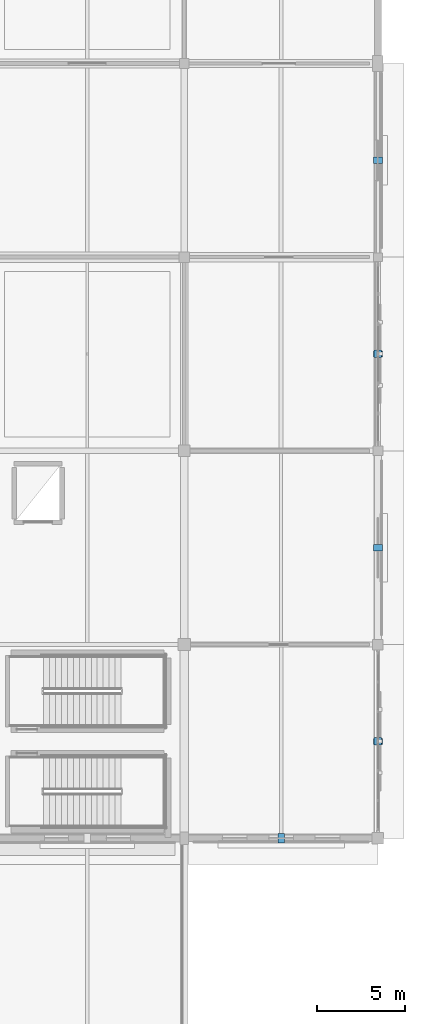
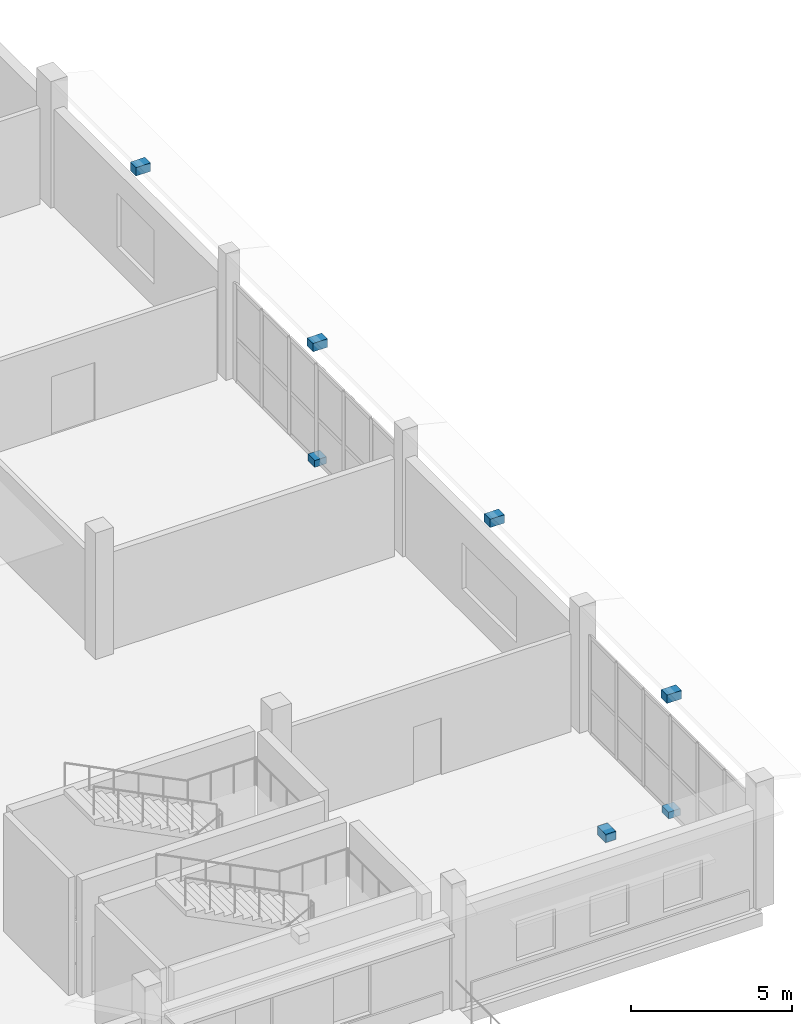
# One storey, part 114 of 143: 7 discrete accessories.
"""IFC4 building model written with IfcOpenShell, lengths in metres."""

import ifcopenshell
import ifcopenshell.guid

model = None  # the IFC model being written
_history = None  # IfcOwnerHistory: only IFC2X3 demands one
_inside = {}  # id of a spatial element -> (the spatial element, [elements in it])
_under = {}  # id of a project, library or spatial element -> (it, [spatial elements below it])
_declared = {}  # id of a project -> (the project, [libraries it declares])
_typed = {}  # id of a type object -> (the type object, [elements of that type])
_made_of = {}  # id of a material, layer set ... -> (it, [elements and type objects made of it])


def new_model(schema):
    """Start an empty IFC model of exactly this schema.

    Asked for "IFC4X3", IfcOpenShell would pick the latest addendum, in which some entities
    have other attributes; the version numbers below select the first issue.
    IFC2X3 requires an IfcOwnerHistory on every rooted entity: one is made here for all.
    """
    global model, _history
    if schema == "IFC4X3":
        model = ifcopenshell.file(schema_version=(4, 3, 0, 0))
    else:
        model = ifcopenshell.file(schema=schema)
    _inside.clear()
    _under.clear()
    _declared.clear()
    _typed.clear()
    _made_of.clear()
    _history = None
    if model.schema == "IFC2X3":
        org = make("IfcOrganization", Name="unknown")
        user = make(
            "IfcPersonAndOrganization",
            ThePerson=make("IfcPerson", FamilyName="unknown"),
            TheOrganization=org,
        )
        app = make(
            "IfcApplication",
            ApplicationDeveloper=org,
            Version="unknown",
            ApplicationFullName="unknown",
            ApplicationIdentifier="unknown",
        )
        _history = make(
            "IfcOwnerHistory",
            OwningUser=user,
            OwningApplication=app,
            ChangeAction="ADDED",
            CreationDate=0,
        )
    return model


def make(cls, **values):
    """One entity of the class cls with the attributes given. An attribute that is None is left unset."""
    return model.create_entity(
        cls, **{name: value for name, value in values.items() if value is not None}
    )


def rooted(cls, **values):
    """An entity with a GlobalId (a new one), such as an element, a storey or a relation."""
    return make(cls, GlobalId=ifcopenshell.guid.new(), OwnerHistory=_history, **values)


def si_unit(unit_type, name, prefix=None):
    """IfcSIUnit, for example si_unit("LENGTHUNIT", "METRE", prefix="MILLI")."""
    return make("IfcSIUnit", UnitType=unit_type, Prefix=prefix, Name=name)


def assignment(units):
    """IfcUnitAssignment: the units of a project."""
    return None if units is None else make("IfcUnitAssignment", Units=units)


def point(xyz):
    """IfcCartesianPoint."""
    return None if xyz is None else make("IfcCartesianPoint", Coordinates=xyz)


def direction(xyz):
    """IfcDirection."""
    return None if xyz is None else make("IfcDirection", DirectionRatios=xyz)


def frame(location, z_axis=None, x_axis=None):
    """IfcAxis2Placement3D, a coordinate frame: its origin and axes. An axis left out is left unset."""
    return make(
        "IfcAxis2Placement3D",
        Location=point(location),
        Axis=direction(z_axis),
        RefDirection=direction(x_axis),
    )


def frame_2d(location, x_axis=None):
    """IfcAxis2Placement2D, a coordinate frame in the plane: its origin and x axis."""
    return make(
        "IfcAxis2Placement2D", Location=point(location), RefDirection=direction(x_axis)
    )


def origin():
    """The frame at (0, 0, 0) with its axes left unset."""
    return frame((0.0, 0.0, 0.0))


def origin_2d():
    """The frame at (0, 0) in the plane with its x axis left unset."""
    return frame_2d((0.0, 0.0))


def place(relative_to, where):
    """IfcLocalPlacement: puts the frame where relative to a parent placement (None: the world)."""
    return make(
        "IfcLocalPlacement", PlacementRelTo=relative_to, RelativePlacement=where
    )


def context(
    kind, dimensions, precision=None, world=None, true_north=None, identifier=None
):
    """IfcGeometricRepresentationContext, for example the 3D "Model" context."""
    return make(
        "IfcGeometricRepresentationContext",
        ContextIdentifier=identifier,
        ContextType=kind,
        CoordinateSpaceDimension=dimensions,
        Precision=precision,
        WorldCoordinateSystem=world,
        TrueNorth=true_north,
    )


def subcontext(parent, identifier, kind, view, scale=None):
    """IfcGeometricRepresentationSubContext, for example "Body" below "Model"."""
    return make(
        "IfcGeometricRepresentationSubContext",
        ContextIdentifier=identifier,
        ContextType=kind,
        ParentContext=parent,
        TargetScale=scale,
        TargetView=view,
    )


def project(units=None, contexts=None):
    """IfcProject with its units and contexts."""
    return rooted(
        "IfcProject",
        Name="project",
        RepresentationContexts=contexts,
        UnitsInContext=assignment(units),
    )


def spatial(cls, under=None, at=None, **own):
    """A site, building, storey or space (cls), placed at a placement, below another one or the project."""
    s = rooted(cls, ObjectPlacement=at, **own)
    if under is not None:
        _under.setdefault(under.id(), (under, []))[1].append(s)
    return s


def profile(cls, at=None, kind="AREA", **sizes):
    """A parametric profile (cls). Its sizes go by their IFC names, for example OverallWidth=200.0."""
    return make(cls, ProfileType=kind, Position=at, **sizes)


def rectangle(**sizes):
    """IfcRectangleProfileDef."""
    return profile("IfcRectangleProfileDef", **sizes)


def extrude(swept, where, along, depth):
    """IfcExtrudedAreaSolid: the profile swept, set in the frame where, extruded along a direction by depth."""
    return make(
        "IfcExtrudedAreaSolid",
        SweptArea=swept,
        Position=where,
        ExtrudedDirection=direction(along),
        Depth=depth,
    )


def shape(context_of_items, identifier, shape_type, items):
    """IfcShapeRepresentation: the items that make up one representation, for example the "Body"."""
    return make(
        "IfcShapeRepresentation",
        ContextOfItems=context_of_items,
        RepresentationIdentifier=identifier,
        RepresentationType=shape_type,
        Items=items,
    )


def material(Name=None, Category=None):
    """IfcMaterial."""
    return make("IfcMaterial", Name=Name, Category=Category)


def layer(
    of_material, thickness, ventilated=None, Name=None, Category=None, Priority=None
):
    """IfcMaterialLayer: one layer of a wall or slab, of a material (None: an air gap)."""
    return make(
        "IfcMaterialLayer",
        Material=of_material,
        LayerThickness=thickness,
        IsVentilated=ventilated,
        Name=Name,
        Category=Category,
        Priority=Priority,
    )


def layer_set(layers, Name=None):
    """IfcMaterialLayerSet."""
    return make("IfcMaterialLayerSet", MaterialLayers=layers, LayerSetName=Name)


def made_of(thing, what):
    """Note that an element or type object is made of a material, layer set ...; save() writes the relation."""
    if what is not None:
        _made_of.setdefault(what.id(), (what, []))[1].append(thing)
    return thing


def type_object(cls, material=None, **own):
    """A type object (cls), such as IfcWallType, which elements share."""
    return made_of(rooted(cls, **own), material)


def element(
    cls,
    number,
    at=None,
    inside=None,
    cuts=None,
    type_object=None,
    material=None,
    context=None,
    identifier="Body",
    shape_type=None,
    held_by="IfcProductDefinitionShape",
    body=None,
    shapes=None,
    **own,
):
    """One element of the class cls, such as IfcWall. Its Tag is "e" and its number.

    at: its placement. inside: the storey or other place that contains it. cuts: it is an
    opening in that element (IfcRelVoidsElement). A single representation is given by context,
    identifier, shape_type and body (its items); several are given by shapes. held_by: the class
    of the entity that holds the representations. save() writes the other relations.
    """
    e = rooted(cls, Tag="e%d" % number, ObjectPlacement=at, **own)
    if body is not None:
        shapes = [shape(context, identifier, shape_type, body)]
    if shapes is not None:
        e.Representation = make(held_by, Representations=shapes)
    if inside is not None:
        _inside.setdefault(inside.id(), (inside, []))[1].append(e)
    if cuts is not None:
        rooted(
            "IfcRelVoidsElement", RelatingBuildingElement=cuts, RelatedOpeningElement=e
        )
    if type_object is not None:
        _typed.setdefault(type_object.id(), (type_object, []))[1].append(e)
    return made_of(e, material)


def aggregate(whole, parts):
    """IfcRelAggregates: a whole, such as a stair, and the parts it consists of."""
    return rooted("IfcRelAggregates", RelatingObject=whole, RelatedObjects=parts)


def save(model, path):
    """Write the relations noted so far, then the file.

    IfcRelAggregates (storeys below a building ...), IfcRelContainedInSpatialStructure (elements
    in a storey), IfcRelDefinesByType, IfcRelAssociatesMaterial and IfcRelDeclares: one each for
    every whole, place, type object, material and project.
    """
    for whole, parts in _under.values():
        aggregate(whole, parts)
    for where, things in _inside.values():
        rooted(
            "IfcRelContainedInSpatialStructure",
            RelatedElements=things,
            RelatingStructure=where,
        )
    for kind, things in _typed.values():
        rooted("IfcRelDefinesByType", RelatedObjects=things, RelatingType=kind)
    for what, things in _made_of.values():
        rooted("IfcRelAssociatesMaterial", RelatedObjects=things, RelatingMaterial=what)
    for by, libraries in _declared.values():
        rooted("IfcRelDeclares", RelatingContext=by, RelatedDefinitions=libraries)
    model.write(path)


model = new_model("IFC4")

# Units and contexts
model_context = context("Model", 3, precision=1e-05, world=origin(), true_north=direction((0.0, 1.0)))
body_context = subcontext(model_context, "Body", "Model", "MODEL_VIEW")
ifc_project = project(units=[si_unit("LENGTHUNIT", "METRE"), si_unit("AREAUNIT", "SQUARE_METRE"), si_unit("VOLUMEUNIT", "CUBIC_METRE"), si_unit("PLANEANGLEUNIT", "RADIAN"), si_unit("MASSUNIT", "GRAM", prefix="KILO")], contexts=[model_context])

# Site, building, storey
site_placement = place(None, origin())
site = spatial("IfcSite", under=ifc_project, at=site_placement, CompositionType="ELEMENT")
building_placement = place(site_placement, origin())
building = spatial("IfcBuilding", under=site, at=building_placement, Name="Luwafu Chhajja Arena", CompositionType="ELEMENT")
storey_placement = place(building_placement, frame((0.0, 0.0, 5.39990234375)))
storey = spatial("IfcBuildingStorey", under=building, at=storey_placement, Name="L01", CompositionType="ELEMENT", Elevation=5.39990234375)

# Discrete accessories
ifc_material = material(Name="Stainless steel bracket", Category="steel")
ifc_layer = layer(ifc_material, 0.179931640625, Name="Stainless steel bracket")
ifc_layer_set = layer_set([ifc_layer], Name="Stainless steel bracket")
discrete_accessory_type = type_object("IfcDiscreteAccessoryType", Name="Stainless Steel Facade Support Bracket", PredefinedType="BRACKET", material=ifc_layer_set)
for number, where, z_axis, x_axis, name in (
    (1, (192.5, 11.0, 4.3798828125), (0.0, 0.0, 1.0), (1.0, 0.0, 0.0), "L01 Chhajja Eave Support Bracket 0201"),
    (2, (198.0, 16.5, 4.3798828125), (0.0, 0.0, 1.0), (0.0, 1.0, 0.0), "L01 Chhajja Eave Support Bracket 0202"),
):
    element("IfcDiscreteAccessory", number, at=place(storey_placement, frame(where, z_axis=z_axis, x_axis=x_axis)), inside=storey, type_object=discrete_accessory_type, Name=name, PredefinedType="BRACKET", context=body_context, shape_type="SweptSolid", body=[
        extrude(rectangle(XDim=0.360107421875, YDim=0.52001953125, at=origin_2d()), origin(), (0.0, 0.0, 1.0), 0.320068359375),
    ])
discrete_accessory_1_placement = place(storey_placement, frame((198.0, 16.512451171875, -0.009765625), z_axis=(0.0, 0.0, 1.0), x_axis=(0.0, 1.0, 0.0)))
element("IfcDiscreteAccessory", 3, at=discrete_accessory_1_placement, inside=storey, type_object=discrete_accessory_type, Name="Jali Stainless Support Bracket 0203", PredefinedType="BRACKET", context=body_context, shape_type="SweptSolid", body=[
    extrude(rectangle(XDim=0.419921875, YDim=0.419921875, at=origin_2d()), origin(), (0.0, 0.0, 1.0), 0.260009765625),
])
for number, where, z_axis, x_axis, name in (
    (4, (198.0, 27.5, 4.3798828125), (0.0, 0.0, 1.0), (0.0, 1.0, 0.0), "L01 Chhajja Eave Support Bracket 0204"),
    (5, (198.0, 38.5, 4.3798828125), (0.0, 0.0, 1.0), (0.0, 1.0, 0.0), "L01 Chhajja Eave Support Bracket 0205"),
):
    element("IfcDiscreteAccessory", number, at=place(storey_placement, frame(where, z_axis=z_axis, x_axis=x_axis)), inside=storey, type_object=discrete_accessory_type, Name=name, PredefinedType="BRACKET", context=body_context, shape_type="SweptSolid", body=[
        extrude(rectangle(XDim=0.360107421875, YDim=0.52001953125, at=origin_2d()), origin(), (0.0, 0.0, 1.0), 0.320068359375),
    ])
discrete_accessory_2_placement = place(storey_placement, frame((198.0, 38.512451171875, -0.009765625), z_axis=(0.0, 0.0, 1.0), x_axis=(0.0, 1.0, 0.0)))
element("IfcDiscreteAccessory", 6, at=discrete_accessory_2_placement, inside=storey, type_object=discrete_accessory_type, Name="Jali Stainless Support Bracket 0206", PredefinedType="BRACKET", context=body_context, shape_type="SweptSolid", body=[
    extrude(rectangle(XDim=0.419921875, YDim=0.419921875, at=origin_2d()), origin(), (0.0, 0.0, 1.0), 0.260009765625),
])
discrete_accessory_3_placement = place(storey_placement, frame((198.0, 49.5, 4.3798828125), z_axis=(0.0, 0.0, 1.0), x_axis=(0.0, 1.0, 0.0)))
element("IfcDiscreteAccessory", 7, at=discrete_accessory_3_placement, inside=storey, type_object=discrete_accessory_type, Name="L01 Chhajja Eave Support Bracket 0207", PredefinedType="BRACKET", context=body_context, shape_type="SweptSolid", body=[
    extrude(rectangle(XDim=0.360107421875, YDim=0.52001953125, at=origin_2d()), origin(), (0.0, 0.0, 1.0), 0.320068359375),
])

save(model, "model.ifc")
